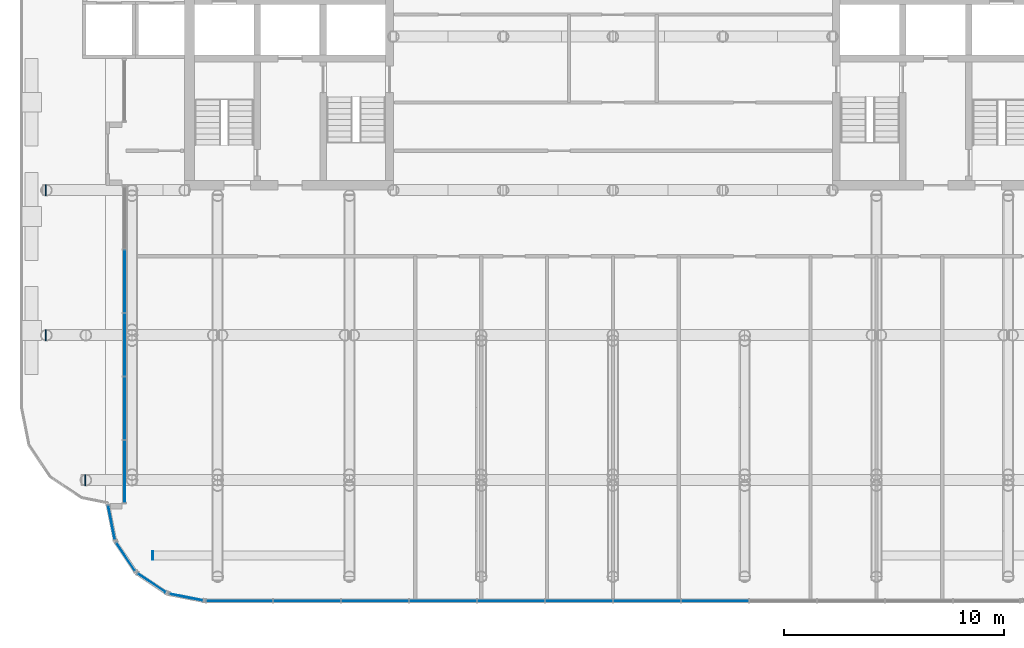
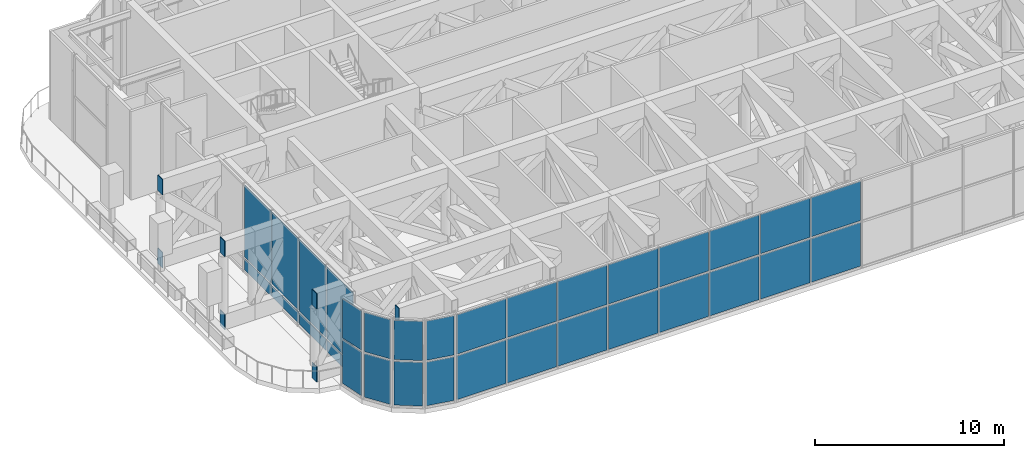
# One storey, part 9 of 21: 39 plates, 6 elements without a shape of their own.
"""IFC4 building model written with IfcOpenShell, lengths in metres."""

from ifc_helpers import new_model, si_unit, direction, frame, origin, origin_2d, place, context, subcontext, project, spatial, rectangle, extrude, material, layer, layer_set, type_object, element, aggregate, save


model = new_model("IFC4")

# Units and contexts
model_context = context("Model", 3, precision=1e-05, world=origin(), true_north=direction((0.0, 1.0)))
body_context = subcontext(model_context, "Body", "Model", "MODEL_VIEW")
ifc_project = project(units=[si_unit("LENGTHUNIT", "METRE"), si_unit("AREAUNIT", "SQUARE_METRE"), si_unit("VOLUMEUNIT", "CUBIC_METRE"), si_unit("PLANEANGLEUNIT", "RADIAN"), si_unit("MASSUNIT", "GRAM", prefix="KILO")], contexts=[model_context])

# Site, building, storey
site_placement = place(None, origin())
site = spatial("IfcSite", under=ifc_project, at=site_placement, CompositionType="ELEMENT")
building_placement = place(site_placement, origin())
building = spatial("IfcBuilding", under=site, at=building_placement, Name="Torana Hotel and Residences", CompositionType="ELEMENT")
storey_placement = place(building_placement, frame((0.0, 0.0, 246.60009765625)))
storey = spatial("IfcBuildingStorey", under=building, at=storey_placement, Name="L65", CompositionType="ELEMENT", Elevation=246.60009765625)

# Curtain wall, plates
ifc_material_1 = material(Name="Dark anodised aluminium", Category="aluminium")
ifc_layer_1 = layer(ifc_material_1, 0.199951171875)
ifc_layer_set_1 = layer_set([ifc_layer_1], Name="CW2 SKY LOBBY UNITISED CURTAIN WALL")
curtain_wall_type = type_object("IfcCurtainWallType", Name="CW2 SKY LOBBY UNITISED CURTAIN WALL", PredefinedType="NOTDEFINED", material=ifc_layer_set_1)
curtain_wall_1_placement = place(storey_placement, origin())
curtain_wall_1 = element("IfcCurtainWall", 1, at=curtain_wall_1_placement, inside=storey, type_object=curtain_wall_type, Name="Curtain wall CW2 L65 e0.4-2", PredefinedType="NOTDEFINED")
ifc_material_2 = material(Name="Glass dark tinted double glazed unit", Category="glass")
ifc_layer_2 = layer(ifc_material_2, 0.031982421875)
ifc_layer_set_2 = layer_set([ifc_layer_2], Name="CW2 DARK GLASS PANEL 32")
plate_type_1 = type_object("IfcPlateType", Name="CW2 DARK GLASS PANEL 32", PredefinedType="CURTAIN_PANEL", material=ifc_layer_set_2)
plate_1_placement = place(storey_placement, frame((-22.22998046875, -19.1376953125, 0.1201171875), z_axis=(0.0, 0.0, 1.0), x_axis=(0.0, -1.0, 0.0)))
plate_1 = element("IfcPlate", 2, at=plate_1_placement, type_object=plate_type_1, Name="CW2 panel 2.1", PredefinedType="CURTAIN_PANEL", context=body_context, shape_type="SweptSolid", body=[
    extrude(rectangle(XDim=2.826416015625, YDim=0.031982421875, at=origin_2d()), origin(), (0.0, 0.0, 1.0), 0.719970703125),
])
plate_2_placement = place(storey_placement, frame((-22.22998046875, -19.1376953125, 0.9599609375), z_axis=(0.0, 0.0, 1.0), x_axis=(0.0, -1.0, 0.0)))
plate_2 = element("IfcPlate", 3, at=plate_2_placement, type_object=plate_type_1, Name="CW2 panel 2.2", PredefinedType="CURTAIN_PANEL", context=body_context, shape_type="SweptSolid", body=[
    extrude(rectangle(XDim=2.826416015625, YDim=0.031982421875, at=origin_2d()), origin(), (0.0, 0.0, 1.0), 4.639892578125),
])
plate_3_placement = place(storey_placement, frame((-22.22998046875, -22.0341796875, 0.1201171875), z_axis=(0.0, 0.0, 1.0), x_axis=(0.0, -1.0, 0.0)))
plate_3 = element("IfcPlate", 4, at=plate_3_placement, type_object=plate_type_1, Name="CW2 panel 3.1", PredefinedType="CURTAIN_PANEL", context=body_context, shape_type="SweptSolid", body=[
    extrude(rectangle(XDim=2.826416015625, YDim=0.031982421875, at=origin_2d()), origin(), (0.0, 0.0, 1.0), 0.719970703125),
])
plate_4_placement = place(storey_placement, frame((-22.22998046875, -22.0341796875, 0.9599609375), z_axis=(0.0, 0.0, 1.0), x_axis=(0.0, -1.0, 0.0)))
plate_4 = element("IfcPlate", 5, at=plate_4_placement, type_object=plate_type_1, Name="CW2 panel 3.2", PredefinedType="CURTAIN_PANEL", context=body_context, shape_type="SweptSolid", body=[
    extrude(rectangle(XDim=2.826416015625, YDim=0.031982421875, at=origin_2d()), origin(), (0.0, 0.0, 1.0), 4.639892578125),
])
plate_5_placement = place(storey_placement, frame((-22.22998046875, -24.9306640625, 0.1201171875), z_axis=(0.0, 0.0, 1.0), x_axis=(0.0, -1.0, 0.0)))
plate_5 = element("IfcPlate", 6, at=plate_5_placement, type_object=plate_type_1, Name="CW2 panel 4.1", PredefinedType="CURTAIN_PANEL", context=body_context, shape_type="SweptSolid", body=[
    extrude(rectangle(XDim=2.826416015625, YDim=0.031982421875, at=origin_2d()), origin(), (0.0, 0.0, 1.0), 0.719970703125),
])
plate_6_placement = place(storey_placement, frame((-22.22998046875, -24.9306640625, 0.9599609375), z_axis=(0.0, 0.0, 1.0), x_axis=(0.0, -1.0, 0.0)))
plate_6 = element("IfcPlate", 7, at=plate_6_placement, type_object=plate_type_1, Name="CW2 panel 4.2", PredefinedType="CURTAIN_PANEL", context=body_context, shape_type="SweptSolid", body=[
    extrude(rectangle(XDim=2.826416015625, YDim=0.031982421875, at=origin_2d()), origin(), (0.0, 0.0, 1.0), 4.639892578125),
])
plate_7_placement = place(storey_placement, frame((-22.22998046875, -27.8095703125, 0.1201171875), z_axis=(0.0, 0.0, 1.0), x_axis=(0.0, -1.0, 0.0)))
plate_7 = element("IfcPlate", 8, at=plate_7_placement, type_object=plate_type_1, Name="CW2 panel 5.1", PredefinedType="CURTAIN_PANEL", context=body_context, shape_type="SweptSolid", body=[
    extrude(rectangle(XDim=2.79150390625, YDim=0.031982421875, at=origin_2d()), origin(), (0.0, 0.0, 1.0), 0.719970703125),
])
plate_8_placement = place(storey_placement, frame((-22.22998046875, -27.8095703125, 0.9599609375), z_axis=(0.0, 0.0, 1.0), x_axis=(0.0, -1.0, 0.0)))
plate_8 = element("IfcPlate", 9, at=plate_8_placement, type_object=plate_type_1, Name="CW2 panel 5.2", PredefinedType="CURTAIN_PANEL", context=body_context, shape_type="SweptSolid", body=[
    extrude(rectangle(XDim=2.79150390625, YDim=0.031982421875, at=origin_2d()), origin(), (0.0, 0.0, 1.0), 4.639892578125),
])
aggregate(curtain_wall_1, [plate_1, plate_2, plate_3, plate_4, plate_5, plate_6, plate_7, plate_8])

curtain_wall_2_placement = place(storey_placement, origin())
curtain_wall_2 = element("IfcCurtainWall", 10, at=curtain_wall_2_placement, inside=storey, type_object=curtain_wall_type, Name="Curtain wall CW2 L65 e0.5-1", PredefinedType="NOTDEFINED")
plate_9_placement = place(storey_placement, frame((-22.8330078125, -30.129150390625, 0.11962890625), z_axis=(0.0, 0.0, 1.0), x_axis=(0.195063848566, -0.980790545928, 0.0)))
plate_9 = element("IfcPlate", 11, at=plate_9_placement, type_object=plate_type_1, Name="CW2 panel 1.1", PredefinedType="CURTAIN_PANEL", context=body_context, shape_type="SweptSolid", body=[
    extrude(rectangle(XDim=1.54150390625, YDim=0.031982421875, at=origin_2d()), origin(), (0.0, 0.0, 1.0), 2.820068359375),
])
plate_10_placement = place(storey_placement, frame((-22.8330078125, -30.129150390625, 3.059814453125), z_axis=(0.0, 0.0, 1.0), x_axis=(0.195063848566, -0.980790545928, 0.0)))
plate_10 = element("IfcPlate", 12, at=plate_10_placement, type_object=plate_type_1, Name="CW2 panel 1.2", PredefinedType="CURTAIN_PANEL", context=body_context, shape_type="SweptSolid", body=[
    extrude(rectangle(XDim=1.54150390625, YDim=0.031982421875, at=origin_2d()), origin(), (0.0, 0.0, 1.0), 2.5400390625),
])
aggregate(curtain_wall_2, [plate_9, plate_10])

curtain_wall_3_placement = place(storey_placement, origin())
curtain_wall_3 = element("IfcCurtainWall", 13, at=curtain_wall_3_placement, inside=storey, type_object=curtain_wall_type, Name="Curtain wall CW2 L65 e0.6-1", PredefinedType="NOTDEFINED")
plate_11_placement = place(storey_placement, frame((-22.1865234375, -31.696533203125, 0.11962890625), z_axis=(0.0, 0.0, 1.0), x_axis=(0.555563713278, -0.831473968618, 0.0)))
plate_11 = element("IfcPlate", 14, at=plate_11_placement, type_object=plate_type_1, Name="CW2 panel 1.1", PredefinedType="CURTAIN_PANEL", context=body_context, shape_type="SweptSolid", body=[
    extrude(rectangle(XDim=1.516357421875, YDim=0.031982421875, at=origin_2d()), origin(), (0.0, 0.0, 1.0), 2.820068359375),
])
plate_12_placement = place(storey_placement, frame((-22.1865234375, -31.696533203125, 3.059814453125), z_axis=(0.0, 0.0, 1.0), x_axis=(0.555563713278, -0.831473968618, 0.0)))
plate_12 = element("IfcPlate", 15, at=plate_12_placement, type_object=plate_type_1, Name="CW2 panel 1.2", PredefinedType="CURTAIN_PANEL", context=body_context, shape_type="SweptSolid", body=[
    extrude(rectangle(XDim=1.516357421875, YDim=0.031982421875, at=origin_2d()), origin(), (0.0, 0.0, 1.0), 2.5400390625),
])
aggregate(curtain_wall_3, [plate_11, plate_12])

curtain_wall_4_placement = place(storey_placement, origin())
curtain_wall_4 = element("IfcCurtainWall", 16, at=curtain_wall_4_placement, inside=storey, type_object=curtain_wall_type, Name="Curtain wall CW2 L65 e0.7-1", PredefinedType="NOTDEFINED")
plate_13_placement = place(storey_placement, frame((-20.99658203125, -32.88671875, 0.11962890625), z_axis=(0.0, 0.0, 1.0), x_axis=(0.831473968618, -0.555563713278, 0.0)))
plate_13 = element("IfcPlate", 17, at=plate_13_placement, type_object=plate_type_1, Name="CW2 panel 1.1", PredefinedType="CURTAIN_PANEL", context=body_context, shape_type="SweptSolid", body=[
    extrude(rectangle(XDim=1.516357421875, YDim=0.031982421875, at=origin_2d()), origin(), (0.0, 0.0, 1.0), 2.820068359375),
])
plate_14_placement = place(storey_placement, frame((-20.99658203125, -32.88671875, 3.059814453125), z_axis=(0.0, 0.0, 1.0), x_axis=(0.831473968618, -0.555563713278, 0.0)))
plate_14 = element("IfcPlate", 18, at=plate_14_placement, type_object=plate_type_1, Name="CW2 panel 1.2", PredefinedType="CURTAIN_PANEL", context=body_context, shape_type="SweptSolid", body=[
    extrude(rectangle(XDim=1.516357421875, YDim=0.031982421875, at=origin_2d()), origin(), (0.0, 0.0, 1.0), 2.5400390625),
])
aggregate(curtain_wall_4, [plate_13, plate_14])

curtain_wall_5_placement = place(storey_placement, origin())
curtain_wall_5 = element("IfcCurtainWall", 19, at=curtain_wall_5_placement, inside=storey, type_object=curtain_wall_type, Name="Curtain wall CW2 L65 e0.8-1", PredefinedType="NOTDEFINED")
plate_15_placement = place(storey_placement, frame((-19.42919921875, -33.533203125, 0.11962890625), z_axis=(0.0, 0.0, 1.0), x_axis=(0.980790545928, -0.195063848566, 0.0)))
plate_15 = element("IfcPlate", 20, at=plate_15_placement, type_object=plate_type_1, Name="CW2 panel 1.1", PredefinedType="CURTAIN_PANEL", context=body_context, shape_type="SweptSolid", body=[
    extrude(rectangle(XDim=1.54150390625, YDim=0.031982421875, at=origin_2d()), origin(), (0.0, 0.0, 1.0), 2.820068359375),
])
plate_16_placement = place(storey_placement, frame((-19.42919921875, -33.533203125, 3.059814453125), z_axis=(0.0, 0.0, 1.0), x_axis=(0.980790545928, -0.195063848566, 0.0)))
plate_16 = element("IfcPlate", 21, at=plate_16_placement, type_object=plate_type_1, Name="CW2 panel 1.2", PredefinedType="CURTAIN_PANEL", context=body_context, shape_type="SweptSolid", body=[
    extrude(rectangle(XDim=1.54150390625, YDim=0.031982421875, at=origin_2d()), origin(), (0.0, 0.0, 1.0), 2.5400390625),
])
aggregate(curtain_wall_5, [plate_15, plate_16])

curtain_wall_6_placement = place(storey_placement, origin())
curtain_wall_6 = element("IfcCurtainWall", 22, at=curtain_wall_6_placement, inside=storey, type_object=curtain_wall_type, Name="Curtain wall CW2 L65 e0.9-1", PredefinedType="NOTDEFINED")
plate_17_placement = place(storey_placement, frame((-17.010009765625, -33.699951171875, 0.11962890625), z_axis=(0.0, 0.0, 1.0), x_axis=(1.0, 0.0, 0.0)))
plate_17 = element("IfcPlate", 23, at=plate_17_placement, type_object=plate_type_1, Name="CW2 panel 1.1", PredefinedType="CURTAIN_PANEL", context=body_context, shape_type="SweptSolid", body=[
    extrude(rectangle(XDim=2.990966796875, YDim=0.031982421875, at=origin_2d()), origin(), (0.0, 0.0, 1.0), 2.820068359375),
])
plate_18_placement = place(storey_placement, frame((-17.010009765625, -33.699951171875, 3.059814453125), z_axis=(0.0, 0.0, 1.0), x_axis=(1.0, 0.0, 0.0)))
plate_18 = element("IfcPlate", 24, at=plate_18_placement, type_object=plate_type_1, Name="CW2 panel 1.2", PredefinedType="CURTAIN_PANEL", context=body_context, shape_type="SweptSolid", body=[
    extrude(rectangle(XDim=2.990966796875, YDim=0.031982421875, at=origin_2d()), origin(), (0.0, 0.0, 1.0), 2.5400390625),
])
plate_19_placement = place(storey_placement, frame((-13.931640625, -33.699951171875, 0.11962890625), z_axis=(0.0, 0.0, 1.0), x_axis=(1.0, 0.0, 0.0)))
plate_19 = element("IfcPlate", 25, at=plate_19_placement, type_object=plate_type_1, Name="CW2 panel 2.1", PredefinedType="CURTAIN_PANEL", context=body_context, shape_type="SweptSolid", body=[
    extrude(rectangle(XDim=3.02587890625, YDim=0.031982421875, at=origin_2d()), origin(), (0.0, 0.0, 1.0), 2.820068359375),
])
plate_20_placement = place(storey_placement, frame((-13.931640625, -33.699951171875, 3.059814453125), z_axis=(0.0, 0.0, 1.0), x_axis=(1.0, 0.0, 0.0)))
plate_20 = element("IfcPlate", 26, at=plate_20_placement, type_object=plate_type_1, Name="CW2 panel 2.2", PredefinedType="CURTAIN_PANEL", context=body_context, shape_type="SweptSolid", body=[
    extrude(rectangle(XDim=3.02587890625, YDim=0.031982421875, at=origin_2d()), origin(), (0.0, 0.0, 1.0), 2.5400390625),
])
plate_21_placement = place(storey_placement, frame((-10.835693359375, -33.699951171875, 0.11962890625), z_axis=(0.0, 0.0, 1.0), x_axis=(1.0, 0.0, 0.0)))
plate_21 = element("IfcPlate", 27, at=plate_21_placement, type_object=plate_type_1, Name="CW2 panel 3.1", PredefinedType="CURTAIN_PANEL", context=body_context, shape_type="SweptSolid", body=[
    extrude(rectangle(XDim=3.02587890625, YDim=0.031982421875, at=origin_2d()), origin(), (0.0, 0.0, 1.0), 2.820068359375),
])
plate_22_placement = place(storey_placement, frame((-10.835693359375, -33.699951171875, 3.059814453125), z_axis=(0.0, 0.0, 1.0), x_axis=(1.0, 0.0, 0.0)))
plate_22 = element("IfcPlate", 28, at=plate_22_placement, type_object=plate_type_1, Name="CW2 panel 3.2", PredefinedType="CURTAIN_PANEL", context=body_context, shape_type="SweptSolid", body=[
    extrude(rectangle(XDim=3.02587890625, YDim=0.031982421875, at=origin_2d()), origin(), (0.0, 0.0, 1.0), 2.5400390625),
])
plate_23_placement = place(storey_placement, frame((-7.73974609375, -33.699951171875, 0.11962890625), z_axis=(0.0, 0.0, 1.0), x_axis=(1.0, 0.0, 0.0)))
plate_23 = element("IfcPlate", 29, at=plate_23_placement, type_object=plate_type_1, Name="CW2 panel 4.1", PredefinedType="CURTAIN_PANEL", context=body_context, shape_type="SweptSolid", body=[
    extrude(rectangle(XDim=3.02587890625, YDim=0.031982421875, at=origin_2d()), origin(), (0.0, 0.0, 1.0), 2.820068359375),
])
plate_24_placement = place(storey_placement, frame((-7.73974609375, -33.699951171875, 3.059814453125), z_axis=(0.0, 0.0, 1.0), x_axis=(1.0, 0.0, 0.0)))
plate_24 = element("IfcPlate", 30, at=plate_24_placement, type_object=plate_type_1, Name="CW2 panel 4.2", PredefinedType="CURTAIN_PANEL", context=body_context, shape_type="SweptSolid", body=[
    extrude(rectangle(XDim=3.02587890625, YDim=0.031982421875, at=origin_2d()), origin(), (0.0, 0.0, 1.0), 2.5400390625),
])
plate_25_placement = place(storey_placement, frame((-4.643798828125, -33.699951171875, 0.11962890625), z_axis=(0.0, 0.0, 1.0), x_axis=(1.0, 0.0, 0.0)))
plate_25 = element("IfcPlate", 31, at=plate_25_placement, type_object=plate_type_1, Name="CW2 panel 5.1", PredefinedType="CURTAIN_PANEL", context=body_context, shape_type="SweptSolid", body=[
    extrude(rectangle(XDim=3.02587890625, YDim=0.031982421875, at=origin_2d()), origin(), (0.0, 0.0, 1.0), 2.820068359375),
])
plate_26_placement = place(storey_placement, frame((-4.643798828125, -33.699951171875, 3.059814453125), z_axis=(0.0, 0.0, 1.0), x_axis=(1.0, 0.0, 0.0)))
plate_26 = element("IfcPlate", 32, at=plate_26_placement, type_object=plate_type_1, Name="CW2 panel 5.2", PredefinedType="CURTAIN_PANEL", context=body_context, shape_type="SweptSolid", body=[
    extrude(rectangle(XDim=3.02587890625, YDim=0.031982421875, at=origin_2d()), origin(), (0.0, 0.0, 1.0), 2.5400390625),
])
plate_27_placement = place(storey_placement, frame((-1.5478515625, -33.699951171875, 0.11962890625), z_axis=(0.0, 0.0, 1.0), x_axis=(1.0, 0.0, 0.0)))
plate_27 = element("IfcPlate", 33, at=plate_27_placement, type_object=plate_type_1, Name="CW2 panel 6.1", PredefinedType="CURTAIN_PANEL", context=body_context, shape_type="SweptSolid", body=[
    extrude(rectangle(XDim=3.02587890625, YDim=0.031982421875, at=origin_2d()), origin(), (0.0, 0.0, 1.0), 2.820068359375),
])
plate_28_placement = place(storey_placement, frame((-1.5478515625, -33.699951171875, 3.059814453125), z_axis=(0.0, 0.0, 1.0), x_axis=(1.0, 0.0, 0.0)))
plate_28 = element("IfcPlate", 34, at=plate_28_placement, type_object=plate_type_1, Name="CW2 panel 6.2", PredefinedType="CURTAIN_PANEL", context=body_context, shape_type="SweptSolid", body=[
    extrude(rectangle(XDim=3.02587890625, YDim=0.031982421875, at=origin_2d()), origin(), (0.0, 0.0, 1.0), 2.5400390625),
])
plate_29_placement = place(storey_placement, frame((1.5478515625, -33.699951171875, 0.11962890625), z_axis=(0.0, 0.0, 1.0), x_axis=(1.0, 0.0, 0.0)))
plate_29 = element("IfcPlate", 35, at=plate_29_placement, type_object=plate_type_1, Name="CW2 panel 7.1", PredefinedType="CURTAIN_PANEL", context=body_context, shape_type="SweptSolid", body=[
    extrude(rectangle(XDim=3.02587890625, YDim=0.031982421875, at=origin_2d()), origin(), (0.0, 0.0, 1.0), 2.820068359375),
])
plate_30_placement = place(storey_placement, frame((1.5478515625, -33.699951171875, 3.059814453125), z_axis=(0.0, 0.0, 1.0), x_axis=(1.0, 0.0, 0.0)))
plate_30 = element("IfcPlate", 36, at=plate_30_placement, type_object=plate_type_1, Name="CW2 panel 7.2", PredefinedType="CURTAIN_PANEL", context=body_context, shape_type="SweptSolid", body=[
    extrude(rectangle(XDim=3.02587890625, YDim=0.031982421875, at=origin_2d()), origin(), (0.0, 0.0, 1.0), 2.5400390625),
])
plate_31_placement = place(storey_placement, frame((4.643798828125, -33.699951171875, 0.11962890625), z_axis=(0.0, 0.0, 1.0), x_axis=(1.0, 0.0, 0.0)))
plate_31 = element("IfcPlate", 37, at=plate_31_placement, type_object=plate_type_1, Name="CW2 panel 8.1", PredefinedType="CURTAIN_PANEL", context=body_context, shape_type="SweptSolid", body=[
    extrude(rectangle(XDim=3.02587890625, YDim=0.031982421875, at=origin_2d()), origin(), (0.0, 0.0, 1.0), 2.820068359375),
])
plate_32_placement = place(storey_placement, frame((4.643798828125, -33.699951171875, 3.059814453125), z_axis=(0.0, 0.0, 1.0), x_axis=(1.0, 0.0, 0.0)))
plate_32 = element("IfcPlate", 38, at=plate_32_placement, type_object=plate_type_1, Name="CW2 panel 8.2", PredefinedType="CURTAIN_PANEL", context=body_context, shape_type="SweptSolid", body=[
    extrude(rectangle(XDim=3.02587890625, YDim=0.031982421875, at=origin_2d()), origin(), (0.0, 0.0, 1.0), 2.5400390625),
])
aggregate(curtain_wall_6, [plate_17, plate_18, plate_19, plate_20, plate_21, plate_22, plate_23, plate_24, plate_25, plate_26, plate_27, plate_28, plate_29, plate_30, plate_31, plate_32])

# Plates
ifc_material_3 = material(Name="Steel S355", Category="steel")
ifc_layer_3 = layer(ifc_material_3, 0.0400390625)
ifc_layer_set_3 = layer_set([ifc_layer_3], Name="STEEL END PLATE 40")
plate_type_2 = type_object("IfcPlateType", Name="STEEL END PLATE 40", PredefinedType="SHEET", material=ifc_layer_set_3)
plate_33_placement = place(storey_placement, frame((-20.949951171875, -31.6298828125, 4.52001953125), z_axis=(0.0, 0.0, 1.0), x_axis=(-1.0, 0.0, 0.0)))
element("IfcPlate", 39, at=plate_33_placement, inside=storey, type_object=plate_type_2, Name="End plate L65", PredefinedType="SHEET", context=body_context, shape_type="SweptSolid", body=[
    extrude(rectangle(XDim=0.0400390625, YDim=0.39990234375, at=origin_2d()), origin(), (0.0, 0.0, 1.0), 1.199951171875),
])
ifc_material_4 = material(Name="Steel S355", Category="steel")
ifc_layer_4 = layer(ifc_material_4, 0.050048828125)
ifc_layer_set_4 = layer_set([ifc_layer_4], Name="STEEL END PLATE 50")
plate_type_3 = type_object("IfcPlateType", Name="STEEL END PLATE 50", PredefinedType="SHEET", material=ifc_layer_set_4)
for number, where, z_axis, x_axis, name in (
    (40, (-24.02490234375, -28.199951171875, 0.0), (0.0, 0.0, 1.0), (-1.0, 0.0, 0.0), "End plate L65"),
    (41, (-24.02490234375, -28.199951171875, 4.719970703125), (0.0, 0.0, 1.0), (-1.0, 0.0, 0.0), "End plate L65"),
    (42, (-25.824951171875, -21.60009765625, 0.0), (0.0, 0.0, 1.0), (-1.0, 0.0, 0.0), "End plate L65"),
    (43, (-25.824951171875, -21.60009765625, 4.719970703125), (0.0, 0.0, 1.0), (-1.0, 0.0, 0.0), "End plate L65"),
    (44, (-25.824951171875, -15.0, 0.0), (0.0, 0.0, 1.0), (-1.0, 0.0, 0.0), "End plate L65"),
    (45, (-25.824951171875, -15.0, 4.719970703125), (0.0, 0.0, 1.0), (-1.0, 0.0, 0.0), "End plate L65"),
):
    element("IfcPlate", number, at=place(storey_placement, frame(where, z_axis=z_axis, x_axis=x_axis)), inside=storey, type_object=plate_type_3, Name=name, PredefinedType="SHEET", context=body_context, shape_type="SweptSolid", body=[
        extrude(rectangle(XDim=0.050048828125, YDim=0.5, at=origin_2d()), origin(), (0.0, 0.0, 1.0), 1.0),
    ])

save(model, "model.ifc")
